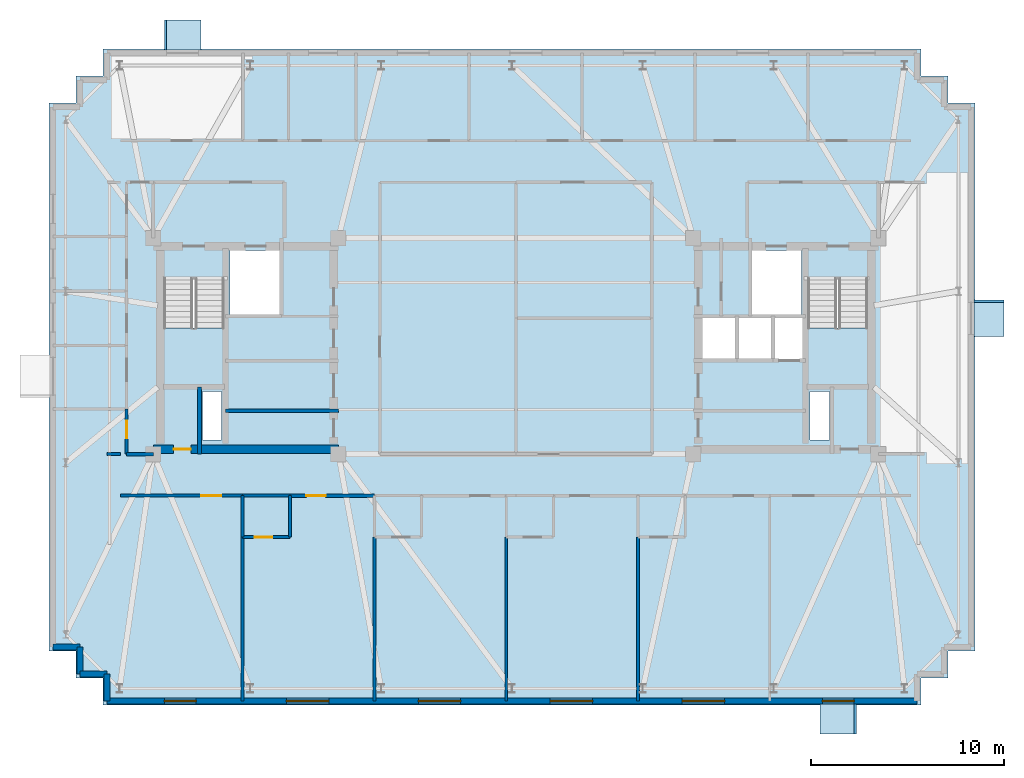
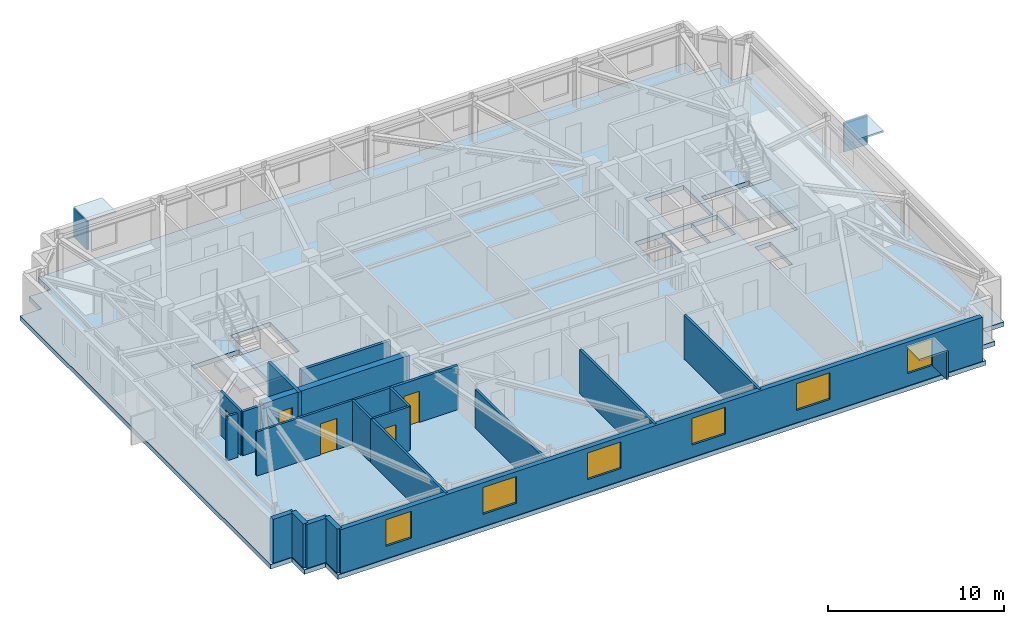
# One storey, part 5 of 12: 21 walls, 6 plates, 6 windows, 5 doors, 3 slabs, 11 openings, 2 elements without a shape of their own.
"""IFC4 building model written with IfcOpenShell, lengths in metres."""

from ifc_helpers import new_model, si_unit, direction, frame, frame_2d, origin, origin_2d, place, context, subcontext, project, spatial, polyline, rectangle, outline, extrude, material, layer, layer_set, type_object, element, fill, aggregate, save


model = new_model("IFC4")

# Units and contexts
model_context = context("Model", 3, precision=1e-05, world=origin(), true_north=direction((0.0, 1.0)))
body_context = subcontext(model_context, "Body", "Model", "MODEL_VIEW")
ifc_project = project(units=[si_unit("LENGTHUNIT", "METRE"), si_unit("AREAUNIT", "SQUARE_METRE"), si_unit("VOLUMEUNIT", "CUBIC_METRE"), si_unit("PLANEANGLEUNIT", "RADIAN"), si_unit("MASSUNIT", "GRAM", prefix="KILO")], contexts=[model_context])

# Site, building, storey
site_placement = place(None, origin())
site = spatial("IfcSite", under=ifc_project, at=site_placement, CompositionType="ELEMENT")
building_placement = place(site_placement, origin())
building = spatial("IfcBuilding", under=site, at=building_placement, Name="Qobustan Lattice House", CompositionType="ELEMENT")
storey_placement = place(building_placement, frame((0.0, 0.0, 241.699951171875)))
storey = spatial("IfcBuildingStorey", under=building, at=storey_placement, Name="L68", CompositionType="ELEMENT", Elevation=241.699951171875)

# Plates
ifc_material_1 = material(Name="Qobustan limestone GFRC", Category="masonry")
ifc_layer_1 = layer(ifc_material_1, 0.1201171875)
ifc_layer_set_1 = layer_set([ifc_layer_1], Name="Qobustan limestone GFRC")
plate_type = type_object("IfcPlateType", Name="SHD-HOOD-BROW", PredefinedType="USERDEFINED", material=ifc_layer_set_1)
plate_1_placement = place(storey_placement, frame((-17.280029296875, 16.1298828125, 2.699951171875), z_axis=(0.0, 0.0, 1.0), x_axis=(1.0, 0.0, 0.0)))
element("IfcPlate", 1, at=plate_1_placement, inside=storey, type_object=plate_type, Name="L68 splayed Qobustan stone hood brow", ObjectType="SUNSHADE", PredefinedType="USERDEFINED", context=body_context, shape_type="SweptSolid", body=[
    extrude(rectangle(XDim=1.889892578125, YDim=1.56005859375, at=origin_2d()), origin(), (0.0, 0.0, 1.0), 0.1201171875),
])
plate_2_placement = place(storey_placement, frame((-18.1650390625, 16.1298828125, 0.7900390625), z_axis=(0.0, 0.0, 1.0), x_axis=(1.0, 0.0, 0.0)))
element("IfcPlate", 2, at=plate_2_placement, inside=storey, type_object=plate_type, Name="L68 splayed Qobustan stone hood cheek", ObjectType="SUNSHADE", PredefinedType="USERDEFINED", context=body_context, shape_type="SweptSolid", body=[
    extrude(rectangle(XDim=0.1201171875, YDim=1.56005859375, at=origin_2d()), origin(), (0.0, 0.0, 1.0), 1.969970703125),
])
plate_3_placement = place(storey_placement, frame((24.530029296875, 1.43994140625, 2.699951171875), z_axis=(0.0, 0.0, 1.0), x_axis=(0.0, -1.0, 0.0)))
element("IfcPlate", 3, at=plate_3_placement, inside=storey, type_object=plate_type, Name="L68 splayed Qobustan stone hood brow", ObjectType="SUNSHADE", PredefinedType="USERDEFINED", context=body_context, shape_type="SweptSolid", body=[
    extrude(rectangle(XDim=1.889892578125, YDim=1.56005859375, at=origin_2d()), origin(), (0.0, 0.0, 1.0), 0.1201171875),
])
plate_4_placement = place(storey_placement, frame((24.530029296875, 2.324951171875, 0.7900390625), z_axis=(0.0, 0.0, 1.0), x_axis=(0.0, -1.0, 0.0)))
element("IfcPlate", 4, at=plate_4_placement, inside=storey, type_object=plate_type, Name="L68 splayed Qobustan stone hood cheek", ObjectType="SUNSHADE", PredefinedType="USERDEFINED", context=body_context, shape_type="SweptSolid", body=[
    extrude(rectangle(XDim=0.1201171875, YDim=1.56005859375, at=origin_2d()), origin(), (0.0, 0.0, 1.0), 1.969970703125),
])
plate_5_placement = place(storey_placement, frame((16.719970703125, -19.330078125, 2.699951171875), z_axis=(0.0, 0.0, 1.0), x_axis=(-1.0, 0.0, 0.0)))
element("IfcPlate", 5, at=plate_5_placement, inside=storey, type_object=plate_type, Name="L68 splayed Qobustan stone hood brow", ObjectType="SUNSHADE", PredefinedType="USERDEFINED", context=body_context, shape_type="SweptSolid", body=[
    extrude(rectangle(XDim=1.889892578125, YDim=1.56005859375, at=origin_2d()), origin(), (0.0, 0.0, 1.0), 0.1201171875),
])
plate_6_placement = place(storey_placement, frame((17.60498046875, -19.330078125, 0.7900390625), z_axis=(0.0, 0.0, 1.0), x_axis=(-1.0, 0.0, 0.0)))
element("IfcPlate", 6, at=plate_6_placement, inside=storey, type_object=plate_type, Name="L68 splayed Qobustan stone hood cheek", ObjectType="SUNSHADE", PredefinedType="USERDEFINED", context=body_context, shape_type="SweptSolid", body=[
    extrude(rectangle(XDim=0.1201171875, YDim=1.56005859375, at=origin_2d()), origin(), (0.0, 0.0, 1.0), 1.969970703125),
])

# Slab
ifc_material_2 = material(Name="Concrete C40/50", Category="concrete")
ifc_layer_2 = layer(ifc_material_2, 0.31005859375)
ifc_layer_set_2 = layer_set([ifc_layer_2], Name="Concrete C40/50")
slab_type_1 = type_object("IfcSlabType", Name="SLB-FLR-310", PredefinedType="FLOOR", material=ifc_layer_set_2)
slab_1_placement = place(storey_placement, frame((0.0, 0.0, -0.31005859375)))
element("IfcSlab", 7, at=slab_1_placement, inside=storey, type_object=slab_type_1, Name="L68 structural floor slab", PredefinedType="FLOOR", context=body_context, shape_type="SweptSolid", body=[
    extrude(outline(polyline([(-21.39990234375, -18.60009765625), (21.0, -18.60009765625), (21.0, -17.199951171875), (22.39990234375, -17.199951171875), (22.39990234375, -15.800048828125), (23.800048828125, -15.800048828125), (23.800048828125, 12.60009765625), (22.39990234375, 12.60009765625), (22.39990234375, 14.0), (21.0, 14.0), (21.0, 15.39990234375), (-21.39990234375, 15.39990234375), (-21.39990234375, 14.0), (-22.800048828125, 14.0), (-22.800048828125, 12.60009765625), (-24.199951171875, 12.60009765625), (-24.199951171875, -15.800048828125), (-22.800048828125, -15.800048828125), (-22.800048828125, -17.199951171875), (-21.39990234375, -17.199951171875), (-21.39990234375, -18.60009765625)]), holes=[polyline([(-18.25, -2.050048828125), (-18.25, 3.489990234375), (-15.1298828125, 3.489990234375), (-15.1298828125, -2.050048828125), (-18.25, -2.050048828125)]), polyline([(15.1298828125, -2.050048828125), (15.1298828125, 3.489990234375), (18.25, 3.489990234375), (18.25, -2.050048828125), (15.1298828125, -2.050048828125)]), polyline([(-14.820068359375, 1.64990234375), (-14.820068359375, 4.9599609375), (-12.25, 4.9599609375), (-12.25, 1.64990234375), (-14.820068359375, 1.64990234375)]), polyline([(12.25, 1.64990234375), (12.25, 4.9599609375), (14.820068359375, 4.9599609375), (14.820068359375, 1.64990234375), (12.25, 1.64990234375)]), polyline([(-16.260009765625, -4.8798828125), (-16.260009765625, -2.360107421875), (-15.260009765625, -2.360107421875), (-15.260009765625, -4.8798828125), (-16.260009765625, -4.8798828125)]), polyline([(15.260009765625, -4.8798828125), (15.260009765625, -2.360107421875), (16.260009765625, -2.360107421875), (16.260009765625, -4.8798828125), (15.260009765625, -4.8798828125)]), polyline([(13.360107421875, -0.679931640625), (13.360107421875, 1.47998046875), (14.97998046875, 1.47998046875), (14.97998046875, -0.679931640625), (13.360107421875, -0.679931640625)]), polyline([(9.6201171875, -0.679931640625), (9.6201171875, 1.47998046875), (11.43994140625, 1.47998046875), (11.43994140625, -0.679931640625), (9.6201171875, -0.679931640625)]), polyline([(11.5, -0.679931640625), (11.5, 1.47998046875), (13.320068359375, 1.47998046875), (13.320068359375, -0.679931640625), (11.5, -0.679931640625)])]), origin(), (0.0, 0.0, 1.0), 0.31005859375),
])

# Stair, slab
ifc_material_3 = material(Name="Concrete C40/50", Category="concrete")
stair_type = type_object("IfcStairType", Name="STR-CORE-DOGLEG", PredefinedType="HALF_TURN_STAIR", material=ifc_material_3)
stair_1_placement = place(storey_placement, origin())
stair_1 = element("IfcStair", 8, at=stair_1_placement, inside=storey, type_object=stair_type, Name="L68 West protected exit stair ST-W1", PredefinedType="HALF_TURN_STAIR")
ifc_material_4 = material(Name="Concrete C40/50", Category="concrete")
ifc_layer_3 = layer(ifc_material_4, 0.199951171875)
ifc_layer_set_3 = layer_set([ifc_layer_3], Name="Concrete C40/50")
slab_type_2 = type_object("IfcSlabType", Name="SLB-LANDING-200", PredefinedType="LANDING", material=ifc_layer_set_3)
slab_2_placement = place(storey_placement, frame((0.0, 0.0, 1.47509765625)))
slab_2 = element("IfcSlab", 9, at=slab_2_placement, type_object=slab_type_2, Name="ST-W1 landing 1", PredefinedType="LANDING", context=body_context, shape_type="SweptSolid", body=[
    extrude(outline(polyline([(-18.25, 0.93505859375), (-18.25, -2.050048828125), (-15.1298828125, -2.050048828125), (-15.1298828125, 0.93505859375), (-18.25, 0.93505859375)])), origin(), (0.0, 0.0, 1.0), 0.199951171875),
])
aggregate(stair_1, [slab_2])

stair_2_placement = place(storey_placement, origin())
stair_2 = element("IfcStair", 10, at=stair_2_placement, inside=storey, type_object=stair_type, Name="L68 East protected exit stair ST-E1", PredefinedType="HALF_TURN_STAIR")
slab_3_placement = place(storey_placement, frame((0.0, 0.0, 1.47509765625)))
slab_3 = element("IfcSlab", 11, at=slab_3_placement, type_object=slab_type_2, Name="ST-E1 landing 1", PredefinedType="LANDING", context=body_context, shape_type="SweptSolid", body=[
    extrude(outline(polyline([(15.1298828125, 0.93505859375), (15.1298828125, -2.050048828125), (18.25, -2.050048828125), (18.25, 0.93505859375), (15.1298828125, 0.93505859375)])), origin(), (0.0, 0.0, 1.0), 0.199951171875),
])
aggregate(stair_2, [slab_3])

# Wall, opening, door
ifc_material_5 = material(Name="Concrete C50/60", Category="concrete")
ifc_layer_4 = layer(ifc_material_5, 0.43994140625)
ifc_layer_set_4 = layer_set([ifc_layer_4], Name="Concrete C50/60")
wall_type_1 = type_object("IfcWallType", Name="WAL-CORE-440", PredefinedType="SHEAR", material=ifc_layer_set_4)
wall_1_placement = place(storey_placement, frame((-18.800048828125, -5.35009765625, 0.0), z_axis=(0.0, 0.0, 1.0), x_axis=(1.0, 0.0, 0.0)))
wall_1 = element("IfcWall", 12, at=wall_1_placement, inside=storey, type_object=wall_type_1, Name="L68 split-core shear wall CW-S", PredefinedType="SHEAR", context=body_context, shape_type="SweptSolid", body=[
    extrude(rectangle(XDim=9.60009765625, YDim=0.43994140625, at=frame_2d((4.800048828125, 0.0))), origin(), (0.0, 0.0, 1.0), 3.0400390625),
])
opening_1_placement = place(wall_1_placement, frame((1.050048828125, 0.0, 0.0)))
opening_1 = element("IfcOpeningElement", 13, at=opening_1_placement, cuts=wall_1, Name="Opening RD-01", PredefinedType="OPENING", context=body_context, shape_type="SweptSolid", body=[
    extrude(rectangle(XDim=0.89990234375, YDim=2.10009765625, at=frame_2d((0.449951171875, 1.050048828125))), frame((0.0, 0.22998046875, 0.0), z_axis=(0.0, -1.0, 0.0), x_axis=(1.0, 0.0, 0.0)), (0.0, 0.0, 1.0), 0.4599609375),
])
ifc_material_6 = material(Name="Persian walnut timber and steel frame door", Category="steel")
door_type_1 = type_object("IfcDoorType", Name="DOR-RISER-FD-900x2100", OperationType="NOTDEFINED", PredefinedType="DOOR", material=ifc_material_6)
door_1_placement = place(opening_1_placement, origin())
door_1 = element("IfcDoor", 14, at=door_1_placement, inside=storey, type_object=door_type_1, Name="L68 core service riser access door W", OperationType="SINGLE_SWING_RIGHT", OverallHeight=2.10009765625, OverallWidth=0.89990234375, PredefinedType="DOOR", context=body_context, shape_type="SweptSolid", body=[
    extrude(rectangle(XDim=0.89990234375, YDim=2.10009765625, at=frame_2d((0.449951171875, 1.050048828125))), frame((0.0, 0.02490234375, 0.0), z_axis=(0.0, -1.0, 0.0), x_axis=(1.0, 0.0, 0.0)), (0.0, 0.0, 1.0), 0.050048828125),
])
fill(opening_1, door_1)

# Walls
ifc_material_7 = material(Name="Precast concrete C40/50", Category="concrete")
ifc_layer_5 = layer(ifc_material_7, 0.320068359375)
ifc_layer_set_5 = layer_set([ifc_layer_5], Name="Precast concrete C40/50")
wall_type_2 = type_object("IfcWallType", Name="WAL-EXT-STONE-320", PredefinedType="SOLIDWALL", material=ifc_layer_set_5)
wall_2_placement = place(storey_placement, frame((-21.199951171875, -18.39990234375, 0.0), z_axis=(0.0, 0.0, 1.0), x_axis=(0.0, 1.0, 0.0)))
element("IfcWall", 15, at=wall_2_placement, inside=storey, type_object=wall_type_2, Name="L68 exterior limestone-clad wall 1", PredefinedType="SOLIDWALL", context=body_context, shape_type="SweptSolid", body=[
    extrude(rectangle(XDim=1.39990234375, YDim=0.320068359375, at=frame_2d((0.699951171875, 0.0))), origin(), (0.0, 0.0, 1.0), 3.0400390625),
])
wall_3_placement = place(storey_placement, frame((-21.199951171875, -17.0, 0.0), z_axis=(0.0, 0.0, 1.0), x_axis=(-1.0, 0.0, 0.0)))
element("IfcWall", 16, at=wall_3_placement, inside=storey, type_object=wall_type_2, Name="L68 exterior limestone-clad wall 2", PredefinedType="SOLIDWALL", context=body_context, shape_type="SweptSolid", body=[
    extrude(rectangle(XDim=1.400146484375, YDim=0.320068359375, at=frame_2d((0.7001953125, 0.0))), origin(), (0.0, 0.0, 1.0), 3.0400390625),
])
for number, where, z_axis, x_axis, name in (
    (17, (-22.60009765625, -17.0, 0.0), (0.0, 0.0, 1.0), (0.0, 1.0, 0.0), "L68 exterior limestone-clad wall 3"),
    (18, (-22.60009765625, -15.60009765625, 0.0), (0.0, 0.0, 1.0), (-1.0, 0.0, 0.0), "L68 exterior limestone-clad wall 4"),
):
    element("IfcWall", number, at=place(storey_placement, frame(where, z_axis=z_axis, x_axis=x_axis)), inside=storey, type_object=wall_type_2, Name=name, PredefinedType="SOLIDWALL", context=body_context, shape_type="SweptSolid", body=[
        extrude(rectangle(XDim=1.39990234375, YDim=0.320068359375, at=frame_2d((0.699951171875, 0.0))), origin(), (0.0, 0.0, 1.0), 3.0400390625),
    ])

# Wall, openings, windows
wall_4_placement = place(storey_placement, frame((20.800048828125, -18.39990234375, 0.0), z_axis=(0.0, 0.0, 1.0), x_axis=(-1.0, 0.0, 0.0)))
wall_4 = element("IfcWall", 19, at=wall_4_placement, inside=storey, type_object=wall_type_2, Name="L68 exterior limestone-clad wall 20", PredefinedType="SOLIDWALL", context=body_context, shape_type="SweptSolid", body=[
    extrude(rectangle(XDim=42.0, YDim=0.320068359375, at=frame_2d((21.0, 0.0))), origin(), (0.0, 0.0, 1.0), 3.0400390625),
])
opening_2_placement = place(wall_4_placement, frame((3.2548828125, 0.0, 0.85009765625)))
opening_2 = element("IfcOpeningElement", 20, at=opening_2_placement, cuts=wall_4, Name="Opening WN-09", PredefinedType="OPENING", context=body_context, shape_type="SweptSolid", body=[
    extrude(rectangle(XDim=1.64990234375, YDim=1.85009765625, at=frame_2d((0.824951171875, 0.925048828125))), frame((0.0, 0.169921875, 0.0), z_axis=(0.0, -1.0, 0.0), x_axis=(1.0, 0.0, 0.0)), (0.0, 0.0, 1.0), 0.340087890625),
])
opening_3_placement = place(wall_4_placement, frame((9.97998046875, 0.0, 0.85009765625)))
opening_3 = element("IfcOpeningElement", 21, at=opening_3_placement, cuts=wall_4, Name="Opening WN-03", PredefinedType="OPENING", context=body_context, shape_type="SweptSolid", body=[
    extrude(rectangle(XDim=2.199951171875, YDim=1.85009765625, at=frame_2d((1.10009765625, 0.925048828125))), frame((0.0, 0.169921875, 0.0), z_axis=(0.0, -1.0, 0.0), x_axis=(1.0, 0.0, 0.0)), (0.0, 0.0, 1.0), 0.340087890625),
])
opening_4_placement = place(wall_4_placement, frame((16.820068359375, 0.0, 0.85009765625)))
opening_4 = element("IfcOpeningElement", 22, at=opening_4_placement, cuts=wall_4, Name="Opening WN-03", PredefinedType="OPENING", context=body_context, shape_type="SweptSolid", body=[
    extrude(rectangle(XDim=2.199951171875, YDim=1.85009765625, at=frame_2d((1.10009765625, 0.925048828125))), frame((0.0, 0.169921875, 0.0), z_axis=(0.0, -1.0, 0.0), x_axis=(1.0, 0.0, 0.0)), (0.0, 0.0, 1.0), 0.340087890625),
])
opening_5_placement = place(wall_4_placement, frame((23.659912109375, 0.0, 0.85009765625)))
opening_5 = element("IfcOpeningElement", 23, at=opening_5_placement, cuts=wall_4, Name="Opening WN-03", PredefinedType="OPENING", context=body_context, shape_type="SweptSolid", body=[
    extrude(rectangle(XDim=2.199951171875, YDim=1.85009765625, at=frame_2d((1.10009765625, 0.925048828125))), frame((0.0, 0.169921875, 0.0), z_axis=(0.0, -1.0, 0.0), x_axis=(1.0, 0.0, 0.0)), (0.0, 0.0, 1.0), 0.340087890625),
])
opening_6_placement = place(wall_4_placement, frame((30.5, 0.0, 0.85009765625)))
opening_6 = element("IfcOpeningElement", 24, at=opening_6_placement, cuts=wall_4, Name="Opening WN-03", PredefinedType="OPENING", context=body_context, shape_type="SweptSolid", body=[
    extrude(rectangle(XDim=2.199951171875, YDim=1.85009765625, at=frame_2d((1.10009765625, 0.925048828125))), frame((0.0, 0.169921875, 0.0), z_axis=(0.0, -1.0, 0.0), x_axis=(1.0, 0.0, 0.0)), (0.0, 0.0, 1.0), 0.340087890625),
])
opening_7_placement = place(wall_4_placement, frame((37.375, 0.0, 0.85009765625)))
opening_7 = element("IfcOpeningElement", 25, at=opening_7_placement, cuts=wall_4, Name="Opening WN-09", PredefinedType="OPENING", context=body_context, shape_type="SweptSolid", body=[
    extrude(rectangle(XDim=1.64990234375, YDim=1.85009765625, at=frame_2d((0.824951171875, 0.925048828125))), frame((0.0, 0.169921875, 0.0), z_axis=(0.0, -1.0, 0.0), x_axis=(1.0, 0.0, 0.0)), (0.0, 0.0, 1.0), 0.340087890625),
])
ifc_material_8 = material(Name="Double-glazed low-E aluminium window", Category="aluminium")
window_type_1 = type_object("IfcWindowType", Name="WIN-STU-1650x1850", PartitioningType="SINGLE_PANEL", PredefinedType="WINDOW", material=ifc_material_8)
window_1_placement = place(opening_2_placement, origin())
window_1 = element("IfcWindow", 26, at=window_1_placement, inside=storey, type_object=window_type_1, Name="L68 Group study room window", OverallHeight=1.85009765625, OverallWidth=1.64990234375, PartitioningType="SINGLE_PANEL", PredefinedType="WINDOW", context=body_context, shape_type="SweptSolid", body=[
    extrude(rectangle(XDim=1.64990234375, YDim=1.85009765625, at=frame_2d((0.824951171875, 0.925048828125))), frame((0.0, 0.030029296875, 0.0), z_axis=(0.0, -1.0, 0.0), x_axis=(1.0, 0.0, 0.0)), (0.0, 0.0, 1.0), 0.06005859375),
])
fill(opening_2, window_1)
window_2_placement = place(opening_7_placement, origin())
window_2 = element("IfcWindow", 27, at=window_2_placement, inside=storey, type_object=window_type_1, Name="L68 Focus study room S1 window", OverallHeight=1.85009765625, OverallWidth=1.64990234375, PartitioningType="SINGLE_PANEL", PredefinedType="WINDOW", context=body_context, shape_type="SweptSolid", body=[
    extrude(rectangle(XDim=1.64990234375, YDim=1.85009765625, at=frame_2d((0.824951171875, 0.925048828125))), frame((0.0, 0.030029296875, 0.0), z_axis=(0.0, -1.0, 0.0), x_axis=(1.0, 0.0, 0.0)), (0.0, 0.0, 1.0), 0.06005859375),
])
fill(opening_7, window_2)
ifc_material_9 = material(Name="Double-glazed low-E aluminium window", Category="aluminium")
window_type_2 = type_object("IfcWindowType", Name="WIN-WIDE-2200x1850", PartitioningType="SINGLE_PANEL", PredefinedType="WINDOW", material=ifc_material_9)
window_3_placement = place(opening_3_placement, origin())
window_3 = element("IfcWindow", 28, at=window_3_placement, inside=storey, type_object=window_type_2, Name="L68 Kitchenette and studio apartment L68-S5 window", OverallHeight=1.85009765625, OverallWidth=2.199951171875, PartitioningType="SINGLE_PANEL", PredefinedType="WINDOW", context=body_context, shape_type="SweptSolid", body=[
    extrude(rectangle(XDim=2.199951171875, YDim=1.85009765625, at=frame_2d((1.10009765625, 0.925048828125))), frame((0.0, 0.030029296875, 0.0), z_axis=(0.0, -1.0, 0.0), x_axis=(1.0, 0.0, 0.0)), (0.0, 0.0, 1.0), 0.06005859375),
])
fill(opening_3, window_3)
window_4_placement = place(opening_4_placement, origin())
window_4 = element("IfcWindow", 29, at=window_4_placement, inside=storey, type_object=window_type_2, Name="L68 Kitchenette and studio apartment L68-S4 window", OverallHeight=1.85009765625, OverallWidth=2.199951171875, PartitioningType="SINGLE_PANEL", PredefinedType="WINDOW", context=body_context, shape_type="SweptSolid", body=[
    extrude(rectangle(XDim=2.199951171875, YDim=1.85009765625, at=frame_2d((1.10009765625, 0.925048828125))), frame((0.0, 0.030029296875, 0.0), z_axis=(0.0, -1.0, 0.0), x_axis=(1.0, 0.0, 0.0)), (0.0, 0.0, 1.0), 0.06005859375),
])
fill(opening_4, window_4)
window_5_placement = place(opening_5_placement, origin())
window_5 = element("IfcWindow", 30, at=window_5_placement, inside=storey, type_object=window_type_2, Name="L68 Kitchenette and studio apartment L68-S3 window", OverallHeight=1.85009765625, OverallWidth=2.199951171875, PartitioningType="SINGLE_PANEL", PredefinedType="WINDOW", context=body_context, shape_type="SweptSolid", body=[
    extrude(rectangle(XDim=2.199951171875, YDim=1.85009765625, at=frame_2d((1.10009765625, 0.925048828125))), frame((0.0, 0.030029296875, 0.0), z_axis=(0.0, -1.0, 0.0), x_axis=(1.0, 0.0, 0.0)), (0.0, 0.0, 1.0), 0.06005859375),
])
fill(opening_5, window_5)
window_6_placement = place(opening_6_placement, origin())
window_6 = element("IfcWindow", 31, at=window_6_placement, inside=storey, type_object=window_type_2, Name="L68 Kitchenette and studio apartment L68-S2 window", OverallHeight=1.85009765625, OverallWidth=2.199951171875, PartitioningType="SINGLE_PANEL", PredefinedType="WINDOW", context=body_context, shape_type="SweptSolid", body=[
    extrude(rectangle(XDim=2.199951171875, YDim=1.85009765625, at=frame_2d((1.10009765625, 0.925048828125))), frame((0.0, 0.030029296875, 0.0), z_axis=(0.0, -1.0, 0.0), x_axis=(1.0, 0.0, 0.0)), (0.0, 0.0, 1.0), 0.06005859375),
])
fill(opening_6, window_6)

# Walls
ifc_material_10 = material(Name="Gypsum fireboard acoustic partition", Category="gypsum")
ifc_layer_6 = layer(ifc_material_10, 0.179931640625)
ifc_layer_set_6 = layer_set([ifc_layer_6], Name="Gypsum fireboard acoustic partition")
wall_type_3 = type_object("IfcWallType", Name="WAL-FIRE-180", PredefinedType="PARTITIONING", material=ifc_layer_set_6)
wall_5_placement = place(storey_placement, frame((-15.050048828125, -3.35009765625, 0.0), z_axis=(0.0, 0.0, 1.0), x_axis=(1.0, 0.0, 0.0)))
element("IfcWall", 32, at=wall_5_placement, inside=storey, type_object=wall_type_3, Name="L68 interior partition 8", PredefinedType="PARTITIONING", context=body_context, shape_type="SweptSolid", body=[
    extrude(rectangle(XDim=5.85009765625, YDim=0.179931640625, at=frame_2d((2.925048828125, 0.0))), origin(), (0.0, 0.0, 1.0), 2.755126953125),
])
wall_6_placement = place(storey_placement, frame((-20.179931640625, -5.60009765625, 0.0), z_axis=(0.0, 0.0, 1.0), x_axis=(1.0, 0.0, 0.0)))
element("IfcWall", 33, at=wall_6_placement, inside=storey, type_object=wall_type_3, Name="L68 interior partition 43", PredefinedType="PARTITIONING", context=body_context, shape_type="SweptSolid", body=[
    extrude(rectangle(XDim=1.3798828125, YDim=0.179931640625, at=frame_2d((0.68994140625, 0.0))), origin(), (0.0, 0.0, 1.0), 3.0400390625),
])

# Wall, opening, door
wall_7_placement = place(storey_placement, frame((-7.3330078125, -7.75, 0.0), z_axis=(0.0, 0.0, 1.0), x_axis=(-1.0, 0.0, 0.0)))
wall_7 = element("IfcWall", 34, at=wall_7_placement, inside=storey, type_object=wall_type_3, Name="L68 interior partition 46", PredefinedType="PARTITIONING", context=body_context, shape_type="SweptSolid", body=[
    extrude(rectangle(XDim=4.384033203125, YDim=0.179931640625, at=frame_2d((2.19189453125, 0.0))), origin(), (0.0, 0.0, 1.0), 3.0400390625),
])
opening_8_placement = place(wall_7_placement, frame((2.52587890625, 0.0, 0.0)))
opening_8 = element("IfcOpeningElement", 35, at=opening_8_placement, cuts=wall_7, Name="Opening FD-02", PredefinedType="OPENING", context=body_context, shape_type="SweptSolid", body=[
    extrude(rectangle(XDim=1.0, YDim=2.14990234375, at=frame_2d((0.5, 1.074951171875))), frame((0.0, 0.099853515625, 0.0), z_axis=(0.0, -1.0, 0.0), x_axis=(1.0, 0.0, 0.0)), (0.0, 0.0, 1.0), 0.199951171875),
])
ifc_material_11 = material(Name="Persian walnut timber and steel frame door", Category="steel")
door_type_2 = type_object("IfcDoorType", Name="DOR-UNIT-FD-1000x2150", OperationType="NOTDEFINED", PredefinedType="DOOR", material=ifc_material_11)
door_2_placement = place(opening_8_placement, origin())
door_2 = element("IfcDoor", 36, at=door_2_placement, inside=storey, type_object=door_type_2, Name="L68 South-west floor corridor to Kitchenette and studio apartment L68-S2 door", OperationType="SINGLE_SWING_RIGHT", OverallHeight=2.14990234375, OverallWidth=1.0, PredefinedType="DOOR", context=body_context, shape_type="SweptSolid", body=[
    extrude(rectangle(XDim=1.0, YDim=2.14990234375, at=frame_2d((0.5, 1.074951171875))), frame((0.0, 0.02490234375, 0.0), z_axis=(0.0, -1.0, 0.0), x_axis=(1.0, 0.0, 0.0)), (0.0, 0.0, 1.0), 0.050048828125),
])
fill(opening_8, door_2)

ifc_material_12 = material(Name="Acoustic twin-stud gypsum partition", Category="gypsum")
ifc_layer_7 = layer(ifc_material_12, 0.14990234375)
ifc_layer_set_7 = layer_set([ifc_layer_7], Name="Acoustic twin-stud gypsum partition")
wall_type_4 = type_object("IfcWallType", Name="WAL-PART-150", PredefinedType="PARTITIONING", material=ifc_layer_set_7)
wall_8_placement = place(storey_placement, frame((-14.1669921875, -7.75, 0.0), z_axis=(0.0, 0.0, 1.0), x_axis=(-1.0, 0.0, 0.0)))
wall_8 = element("IfcWall", 37, at=wall_8_placement, inside=storey, type_object=wall_type_4, Name="L68 interior partition 45", PredefinedType="PARTITIONING", context=body_context, shape_type="SweptSolid", body=[
    extrude(rectangle(XDim=6.3330078125, YDim=0.14990234375, at=frame_2d((3.16650390625, 0.0))), origin(), (0.0, 0.0, 1.0), 3.0400390625),
])
opening_9_placement = place(wall_8_placement, frame((1.095458984375, 0.0, 0.0)))
opening_9 = element("IfcOpeningElement", 38, at=opening_9_placement, cuts=wall_8, Name="Opening ID-02", PredefinedType="OPENING", context=body_context, shape_type="SweptSolid", body=[
    extrude(rectangle(XDim=1.050048828125, YDim=2.14990234375, at=frame_2d((0.52490234375, 1.074951171875))), frame((0.0, 0.0849609375, 0.0), z_axis=(0.0, -1.0, 0.0), x_axis=(1.0, 0.0, 0.0)), (0.0, 0.0, 1.0), 0.169921875),
])
ifc_material_13 = material(Name="Persian walnut timber and steel frame door", Category="steel")
door_type_3 = type_object("IfcDoorType", Name="DOR-STUDY-1050x2150", OperationType="NOTDEFINED", PredefinedType="DOOR", material=ifc_material_13)
door_3_placement = place(opening_9_placement, origin())
door_3 = element("IfcDoor", 39, at=door_3_placement, inside=storey, type_object=door_type_3, Name="L68 South-west floor corridor to Focus study room S1 door", OperationType="SINGLE_SWING_LEFT", OverallHeight=2.14990234375, OverallWidth=1.050048828125, PredefinedType="DOOR", context=body_context, shape_type="SweptSolid", body=[
    extrude(rectangle(XDim=1.050048828125, YDim=2.14990234375, at=frame_2d((0.52490234375, 1.074951171875))), frame((0.0, 0.02490234375, 0.0), z_axis=(0.0, -1.0, 0.0), x_axis=(1.0, 0.0, 0.0)), (0.0, 0.0, 1.0), 0.050048828125),
])
fill(opening_9, door_3)

# Walls
wall_9_placement = place(storey_placement, frame((-14.1669921875, -9.89990234375, 0.0), z_axis=(0.0, 0.0, 1.0), x_axis=(0.0, -1.0, 0.0)))
element("IfcWall", 40, at=wall_9_placement, inside=storey, type_object=wall_type_4, Name="L68 interior partition 79", PredefinedType="PARTITIONING", context=body_context, shape_type="SweptSolid", body=[
    extrude(rectangle(XDim=8.5, YDim=0.14990234375, at=frame_2d((4.25, 0.0))), origin(), (0.0, 0.0, 1.0), 3.0400390625),
])
wall_10_placement = place(storey_placement, frame((-7.3330078125, -9.89990234375, 0.0), z_axis=(0.0, 0.0, 1.0), x_axis=(0.0, -1.0, 0.0)))
element("IfcWall", 41, at=wall_10_placement, inside=storey, type_object=wall_type_4, Name="L68 interior partition 83", PredefinedType="PARTITIONING", context=body_context, shape_type="SweptSolid", body=[
    extrude(rectangle(XDim=8.5, YDim=0.14990234375, at=frame_2d((4.25, 0.0))), origin(), (0.0, 0.0, 1.0), 2.6650390625),
])
for number, where, z_axis, x_axis, name in (
    (42, (-0.5, -9.89990234375, 0.0), (0.0, 0.0, 1.0), (0.0, -1.0, 0.0), "L68 interior partition 87"),
    (43, (6.3330078125, -9.89990234375, 0.0), (0.0, 0.0, 1.0), (0.0, -1.0, 0.0), "L68 interior partition 91"),
):
    element("IfcWall", number, at=place(storey_placement, frame(where, z_axis=z_axis, x_axis=x_axis)), inside=storey, type_object=wall_type_4, Name=name, PredefinedType="PARTITIONING", context=body_context, shape_type="SweptSolid", body=[
        extrude(rectangle(XDim=8.5, YDim=0.14990234375, at=frame_2d((4.25, 0.0))), origin(), (0.0, 0.0, 1.0), 3.0400390625),
    ])
ifc_material_14 = material(Name="Concrete C40/50", Category="concrete")
ifc_layer_8 = layer(ifc_material_14, 0.199951171875)
ifc_layer_set_8 = layer_set([ifc_layer_8], Name="Concrete C40/50")
wall_type_5 = type_object("IfcWallType", Name="WAL-SHAFT-200", PredefinedType="PARTITIONING", material=ifc_layer_set_8)
wall_11_placement = place(storey_placement, frame((-16.39990234375, -5.60009765625, 0.0), z_axis=(0.0, 0.0, 1.0), x_axis=(0.0, 1.0, 0.0)))
element("IfcWall", 44, at=wall_11_placement, inside=storey, type_object=wall_type_5, Name="L68 interior partition 1", PredefinedType="PARTITIONING", context=body_context, shape_type="SweptSolid", body=[
    extrude(rectangle(XDim=3.489990234375, YDim=0.199951171875, at=frame_2d((1.7451171875, 0.0))), origin(), (0.0, 0.0, 1.0), 3.0400390625),
])
ifc_material_15 = material(Name="Moisture-resistant acoustic plumbing wall", Category="gypsum")
ifc_layer_9 = layer(ifc_material_15, 0.14990234375)
ifc_layer_set_9 = layer_set([ifc_layer_9], Name="Moisture-resistant acoustic plumbing wall")
wall_type_6 = type_object("IfcWallType", Name="WAL-WET-150", PredefinedType="PLUMBINGWALL", material=ifc_layer_set_9)
wall_12_placement = place(storey_placement, frame((-21.199951171875, -5.60009765625, 0.0), z_axis=(0.0, 0.0, 1.0), x_axis=(1.0, 0.0, 0.0)))
element("IfcWall", 45, at=wall_12_placement, inside=storey, type_object=wall_type_6, Name="L68 interior partition 44", PredefinedType="PLUMBINGWALL", context=body_context, shape_type="SweptSolid", body=[
    extrude(rectangle(XDim=0.699951171875, YDim=0.14990234375, at=frame_2d((0.35009765625, 0.0))), origin(), (0.0, 0.0, 1.0), 3.0400390625),
])
wall_13_placement = place(storey_placement, frame((-11.717041015625, -7.75, 0.0), z_axis=(0.0, 0.0, 1.0), x_axis=(-1.0, 0.0, 0.0)))
element("IfcWall", 46, at=wall_13_placement, inside=storey, type_object=wall_type_6, Name="L68 interior partition 47", PredefinedType="PLUMBINGWALL", context=body_context, shape_type="SweptSolid", body=[
    extrude(rectangle(XDim=2.449951171875, YDim=0.14990234375, at=frame_2d((1.22509765625, 0.0))), origin(), (0.0, 0.0, 1.0), 3.0400390625),
])

# Wall, opening, door
wall_14_placement = place(storey_placement, frame((-20.179931640625, -5.60009765625, 0.0), z_axis=(0.0, 0.0, 1.0), x_axis=(0.0, 1.0, 0.0)))
wall_14 = element("IfcWall", 47, at=wall_14_placement, inside=storey, type_object=wall_type_6, Name="L68 interior partition 63", PredefinedType="PLUMBINGWALL", context=body_context, shape_type="SweptSolid", body=[
    extrude(rectangle(XDim=2.35009765625, YDim=0.14990234375, at=frame_2d((1.175048828125, 0.0))), origin(), (0.0, 0.0, 1.0), 3.0400390625),
])
opening_10_placement = place(wall_14_placement, frame((0.833740234375, 0.0, 0.0)))
opening_10 = element("IfcOpeningElement", 48, at=opening_10_placement, cuts=wall_14, Name="Opening WD-01", PredefinedType="OPENING", context=body_context, shape_type="SweptSolid", body=[
    extrude(rectangle(XDim=0.89990234375, YDim=2.10009765625, at=frame_2d((0.449951171875, 1.050048828125))), frame((0.0, 0.0849609375, 0.0), z_axis=(0.0, -1.0, 0.0), x_axis=(1.0, 0.0, 0.0)), (0.0, 0.0, 1.0), 0.169921875),
])
ifc_material_16 = material(Name="Persian walnut timber and steel frame door", Category="steel")
door_type_4 = type_object("IfcDoorType", Name="DOR-WET-900x2100", OperationType="NOTDEFINED", PredefinedType="DOOR", material=ifc_material_16)
door_4_placement = place(opening_10_placement, origin())
door_4 = element("IfcDoor", 49, at=door_4_placement, inside=storey, type_object=door_type_4, Name="L68 Residence entrance hall L68W to Shared bathroom L68W door", OperationType="SINGLE_SWING_LEFT", OverallHeight=2.10009765625, OverallWidth=0.89990234375, PredefinedType="DOOR", context=body_context, shape_type="SweptSolid", body=[
    extrude(rectangle(XDim=0.89990234375, YDim=2.10009765625, at=frame_2d((0.449951171875, 1.050048828125))), frame((0.0, 0.02490234375, 0.0), z_axis=(0.0, -1.0, 0.0), x_axis=(1.0, 0.0, 0.0)), (0.0, 0.0, 1.0), 0.050048828125),
])
fill(opening_10, door_4)

# Wall
wall_15_placement = place(storey_placement, frame((-14.1669921875, -7.75, 0.0), z_axis=(0.0, 0.0, 1.0), x_axis=(0.0, -1.0, 0.0)))
element("IfcWall", 50, at=wall_15_placement, inside=storey, type_object=wall_type_6, Name="L68 interior partition 80", PredefinedType="PLUMBINGWALL", context=body_context, shape_type="SweptSolid", body=[
    extrude(rectangle(XDim=2.14990234375, YDim=0.14990234375, at=frame_2d((1.074951171875, 0.0))), origin(), (0.0, 0.0, 1.0), 3.0400390625),
])

# Wall, opening, door
wall_16_placement = place(storey_placement, frame((-14.1669921875, -9.89990234375, 0.0), z_axis=(0.0, 0.0, 1.0), x_axis=(1.0, 0.0, 0.0)))
wall_16 = element("IfcWall", 51, at=wall_16_placement, inside=storey, type_object=wall_type_6, Name="L68 interior partition 81", PredefinedType="PLUMBINGWALL", context=body_context, shape_type="SweptSolid", body=[
    extrude(rectangle(XDim=2.449951171875, YDim=0.14990234375, at=frame_2d((1.22509765625, 0.0))), origin(), (0.0, 0.0, 1.0), 3.0400390625),
])
opening_11_placement = place(wall_16_placement, frame((0.628662109375, 0.0, 0.0)))
opening_11 = element("IfcOpeningElement", 52, at=opening_11_placement, cuts=wall_16, Name="Opening WD-01", PredefinedType="OPENING", context=body_context, shape_type="SweptSolid", body=[
    extrude(rectangle(XDim=0.89990234375, YDim=2.10009765625, at=frame_2d((0.449951171875, 1.050048828125))), frame((0.0, 0.0849609375, 0.0), z_axis=(0.0, -1.0, 0.0), x_axis=(1.0, 0.0, 0.0)), (0.0, 0.0, 1.0), 0.169921875),
])
door_5_placement = place(opening_11_placement, origin())
door_5 = element("IfcDoor", 53, at=door_5_placement, inside=storey, type_object=door_type_4, Name="L68 Kitchenette and studio apartment L68-S2 to En-suite bathroom L68-S2 door", OperationType="SINGLE_SWING_RIGHT", OverallHeight=2.10009765625, OverallWidth=0.89990234375, PredefinedType="DOOR", context=body_context, shape_type="SweptSolid", body=[
    extrude(rectangle(XDim=0.89990234375, YDim=2.10009765625, at=frame_2d((0.449951171875, 1.050048828125))), frame((0.0, 0.02490234375, 0.0), z_axis=(0.0, -1.0, 0.0), x_axis=(1.0, 0.0, 0.0)), (0.0, 0.0, 1.0), 0.050048828125),
])
fill(opening_11, door_5)

# Wall
wall_17_placement = place(storey_placement, frame((-11.717041015625, -9.89990234375, 0.0), z_axis=(0.0, 0.0, 1.0), x_axis=(0.0, 1.0, 0.0)))
element("IfcWall", 54, at=wall_17_placement, inside=storey, type_object=wall_type_6, Name="L68 interior partition 82", PredefinedType="PLUMBINGWALL", context=body_context, shape_type="SweptSolid", body=[
    extrude(rectangle(XDim=2.14990234375, YDim=0.14990234375, at=frame_2d((1.074951171875, 0.0))), origin(), (0.0, 0.0, 1.0), 3.0400390625),
])

save(model, "model.ifc")
